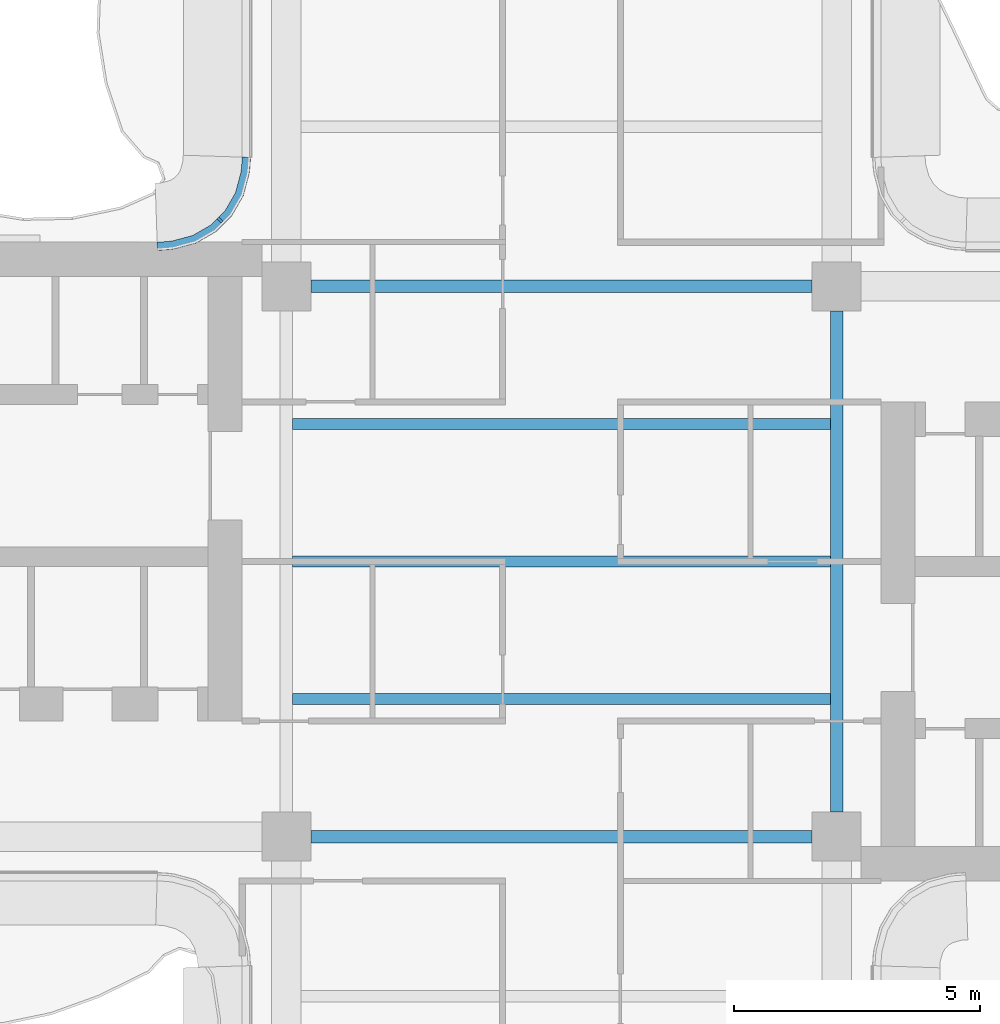
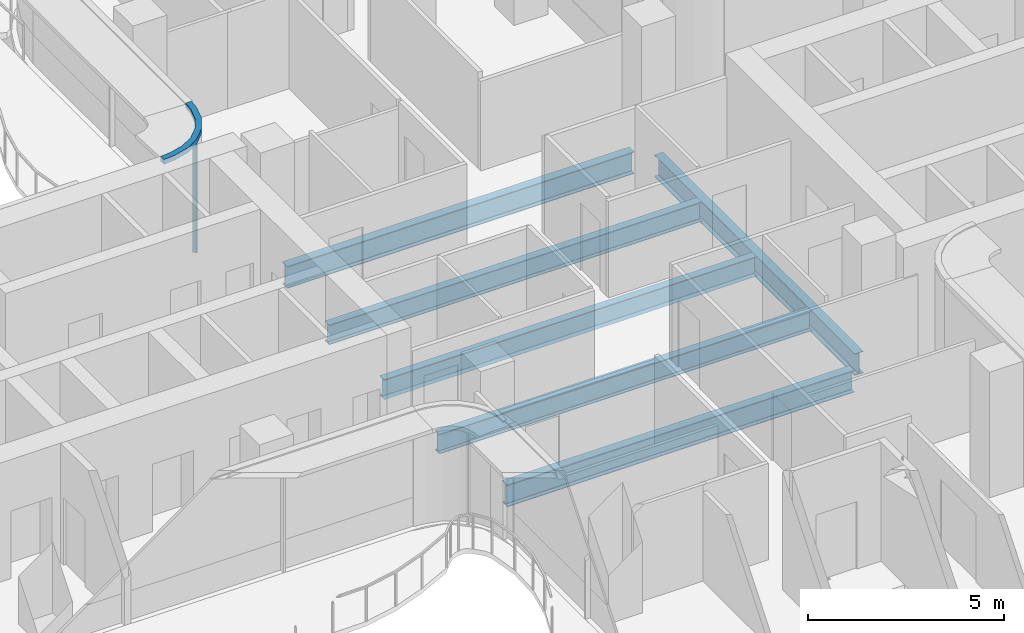
# One storey, part 4 of 16: 6 beams, 2 members, 1 element without a shape of its own.
"""IFC4 building model written with IfcOpenShell, lengths in metres."""

from ifc_helpers import new_model, si_unit, direction, frame, origin, origin_2d, place, context, subcontext, project, spatial, polyline, rectangle, i_section, outline, extrude, source, transform, mapped, material, layer, layer_set, material_profile, profile_set, type_object, element, aggregate, save


model = new_model("IFC4")

# Units and contexts
model_context = context("Model", 3, precision=1e-05, world=origin(), true_north=direction((0.0, 1.0)))
body_context = subcontext(model_context, "Body", "Model", "MODEL_VIEW")
ifc_project = project(units=[si_unit("LENGTHUNIT", "METRE"), si_unit("AREAUNIT", "SQUARE_METRE"), si_unit("VOLUMEUNIT", "CUBIC_METRE"), si_unit("PLANEANGLEUNIT", "RADIAN"), si_unit("MASSUNIT", "GRAM", prefix="KILO")], contexts=[model_context])

# Site, building, storey
site_placement = place(None, origin())
site = spatial("IfcSite", under=ifc_project, at=site_placement, CompositionType="ELEMENT")
building_placement = place(site_placement, origin())
building = spatial("IfcBuilding", under=site, at=building_placement, Name="Trellis Farm Tower", CompositionType="ELEMENT")
storey_placement = place(building_placement, frame((0.0, 0.0, 302.800048828125)))
storey = spatial("IfcBuildingStorey", under=building, at=storey_placement, Name="L68", CompositionType="ELEMENT", Elevation=302.800048828125)

# Beams
ifc_material_1 = material(Name="Steel S355", Category="steel")
ifc_material_profile_1 = material_profile(ifc_material_1, i_section(OverallWidth=0.22900390625, OverallDepth=0.6123046875, WebThickness=0.011962890625, FlangeThickness=0.01953125, FilletRadius=0.0126953125, at=origin_2d()), Name="UB 610x229x125")
ifc_profile_set_1 = profile_set([ifc_material_profile_1], Name="Steel S355")
beam_type_1 = type_object("IfcBeamType", Name="UB 610x229x125 joist", PredefinedType="JOIST", material=ifc_profile_set_1)
shared_shape_1 = source(origin(), body_context, "Body", "SweptSolid", [
    extrude(i_section(OverallWidth=0.22900390625, OverallDepth=0.6123046875, WebThickness=0.011962890625, FlangeThickness=0.01953125, FilletRadius=0.0126953125, at=origin_2d()), origin(), (0.0, 0.0, 1.0), 10.9462890625),
])
for number, where, z_axis, x_axis, name in (
    (1, (-5.47314453125, -2.800048828125, -0.506103515625), (1.0, 0.0, 0.0), (0.0, 1.0, 0.0), "Floor beam"),
    (2, (-5.47314453125, 0.0, -0.506103515625), (1.0, 0.0, 0.0), (0.0, 1.0, 0.0), "Floor beam"),
    (3, (-5.47314453125, 2.800048828125, -0.506103515625), (1.0, 0.0, 0.0), (0.0, 1.0, 0.0), "Floor beam"),
):
    element("IfcBeam", number, at=place(storey_placement, frame(where, z_axis=z_axis, x_axis=x_axis)), inside=storey, type_object=beam_type_1, Name=name, PredefinedType="JOIST", context=body_context, shape_type="MappedRepresentation", body=[
        mapped(shared_shape_1, transform((0.0, 0.0, 0.0))),
    ])
ifc_material_profile_2 = material_profile(ifc_material_1, i_section(OverallWidth=0.253662109375, OverallDepth=0.68359375, WebThickness=0.012451171875, FlangeThickness=0.021728515625, FilletRadius=0.01513671875, at=origin_2d()), Name="UB 686x254x140")
ifc_profile_set_2 = profile_set([ifc_material_profile_2], Name="Steel S355")
beam_type_2 = type_object("IfcBeamType", Name="UB 686x254x140", PredefinedType="BEAM", material=ifc_profile_set_2)
shared_shape_2 = source(origin(), body_context, "Body", "SweptSolid", [
    extrude(i_section(OverallWidth=0.253662109375, OverallDepth=0.68359375, WebThickness=0.012451171875, FlangeThickness=0.021728515625, FilletRadius=0.01513671875, at=origin_2d()), origin(), (0.0, 0.0, 1.0), 10.2001953125),
])
for number, where, z_axis, x_axis, name in (
    (4, (-5.10009765625, -5.60009765625, -0.541748046875), (1.0, 0.0, 0.0), (0.0, 1.0, 0.0), "Girder"),
    (5, (-5.10009765625, 5.60009765625, -0.541748046875), (1.0, 0.0, 0.0), (0.0, 1.0, 0.0), "Girder"),
    (6, (5.60009765625, -5.10009765625, -0.541748046875), (0.0, 1.0, 0.0), (-1.0, 0.0, 0.0), "Girder"),
):
    element("IfcBeam", number, at=place(storey_placement, frame(where, z_axis=z_axis, x_axis=x_axis)), inside=storey, type_object=beam_type_2, Name=name, PredefinedType="BEAM", context=body_context, shape_type="MappedRepresentation", body=[
        mapped(shared_shape_2, transform((0.0, 0.0, 0.0))),
    ])

# Curtain wall, members
ifc_material_2 = material(Name="Aluminium and glass curtain wall", Category="aluminium")
ifc_layer_1 = layer(ifc_material_2, 0.166015625)
ifc_layer_set_1 = layer_set([ifc_layer_1], Name="WINTER GARDEN CURTAIN WALL CW3")
curtain_wall_type = type_object("IfcCurtainWallType", Name="WINTER GARDEN CURTAIN WALL CW3", PredefinedType="NOTDEFINED", material=ifc_layer_set_1)
curtain_wall_placement = place(storey_placement, origin())
curtain_wall = element("IfcCurtainWall", 7, at=curtain_wall_placement, inside=storey, type_object=curtain_wall_type, Name="CW3 004", PredefinedType="NOTDEFINED")
ifc_material_3 = material(Name="Aluminium extrusion 6063-T6", Category="aluminium")
ifc_layer_2 = layer(ifc_material_3, 0.169921875)
ifc_layer_set_2 = layer_set([ifc_layer_2], Name="Aluminium extrusion 6063-T6")
member_type_1 = type_object("IfcMemberType", Name="CW3 TRANSOM 170x150", PredefinedType="USERDEFINED", material=ifc_layer_set_2)
shared_shape_3 = source(origin(), body_context, "Body", "SweptSolid", [
    extrude(outline(polyline([(-6.5, 8.2314453125), (-6.513916015625, 8.01953125), (-6.527587890625, 7.91552734375), (-6.63671875, 7.508544921875), (-6.846923828125, 7.144287109375), (-7.144287109375, 6.846923828125), (-7.508544921875, 6.63671875), (-7.91552734375, 6.527587890625), (-8.01953125, 6.513916015625), (-8.2314453125, 6.5), (-8.225830078125, 6.330078125), (-8.0029296875, 6.3447265625), (-7.88232421875, 6.360595703125), (-7.44287109375, 6.478271484375), (-7.0400390625, 6.7109375), (-6.7109375, 7.0400390625), (-6.478271484375, 7.44287109375), (-6.360595703125, 7.88232421875), (-6.3447265625, 8.0029296875), (-6.330078125, 8.225830078125), (-6.5, 8.2314453125)])), origin(), (0.0, 0.0, 1.0), 0.14990234375),
])
member_1_placement = place(storey_placement, frame((0.0, 0.0, 3.550048828125)))
member_1 = element("IfcMember", 8, at=member_1_placement, type_object=member_type_1, Name="TR3 004", ObjectType="TRANSOM", PredefinedType="USERDEFINED", context=body_context, shape_type="MappedRepresentation", body=[
    mapped(shared_shape_3, transform((0.0, 0.0, 0.0))),
])
ifc_material_profile_3 = material_profile(ifc_material_3, rectangle(XDim=0.050048828125, YDim=0.1201171875, at=origin_2d()), Name="MULLION 50x120")
ifc_profile_set_3 = profile_set([ifc_material_profile_3], Name="Aluminium extrusion 6063-T6")
member_type_2 = type_object("IfcMemberType", Name="CW3 MULLION 50x120", PredefinedType="MULLION", material=ifc_profile_set_3)
shared_shape_4 = source(origin(), body_context, "Body", "SweptSolid", [
    extrude(rectangle(XDim=0.050048828125, YDim=0.1201171875, at=origin_2d()), origin(), (0.0, 0.0, 1.0), 3.550048828125),
])
member_2_placement = place(storey_placement, frame((-6.953125, 6.953125, 0.0), z_axis=(0.0, 0.0, 1.0), x_axis=(-0.707106781187, -0.707106781187, 0.0)))
member_2 = element("IfcMember", 9, at=member_2_placement, type_object=member_type_2, Name="MU3 004-01", PredefinedType="MULLION", context=body_context, shape_type="MappedRepresentation", body=[
    mapped(shared_shape_4, transform((0.0, 0.0, 0.0))),
])
aggregate(curtain_wall, [member_2, member_1])

save(model, "model.ifc")
